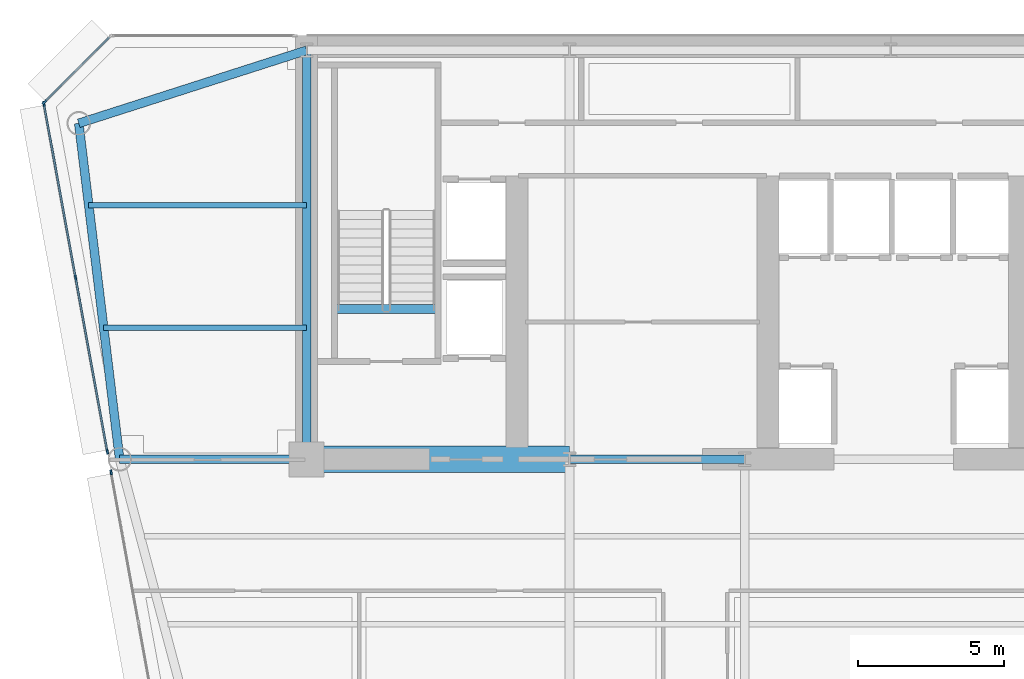
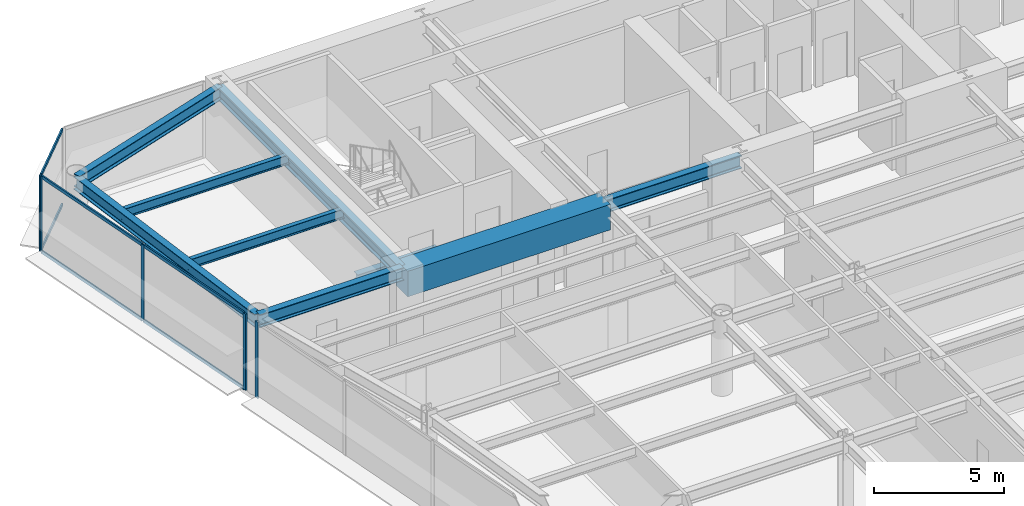
# One storey, part 7 of 17: 11 members, 9 beams, 3 elements without a shape of their own.
"""IFC4 building model written with IfcOpenShell, lengths in metres."""

from ifc_helpers import new_model, si_unit, direction, frame, origin, origin_2d, place, context, subcontext, project, spatial, rectangle, i_section, extrude, source, transform, mapped, material, layer, layer_set, material_profile, profile_set, type_object, element, aggregate, save


model = new_model("IFC4")

# Units and contexts
model_context = context("Model", 3, precision=1e-05, world=origin(), true_north=direction((0.0, 1.0)))
body_context = subcontext(model_context, "Body", "Model", "MODEL_VIEW")
ifc_project = project(units=[si_unit("LENGTHUNIT", "METRE"), si_unit("AREAUNIT", "SQUARE_METRE"), si_unit("VOLUMEUNIT", "CUBIC_METRE"), si_unit("PLANEANGLEUNIT", "RADIAN"), si_unit("MASSUNIT", "GRAM", prefix="KILO")], contexts=[model_context])

# Site, building, storey
site_placement = place(None, origin())
site = spatial("IfcSite", under=ifc_project, at=site_placement, CompositionType="ELEMENT")
building_placement = place(site_placement, origin())
building = spatial("IfcBuilding", under=site, at=building_placement, Name="Vaeldorn Concourse Tower", CompositionType="ELEMENT")
storey_placement = place(building_placement, frame((0.0, 0.0, 161.39990234375)))
storey = spatial("IfcBuildingStorey", under=building, at=storey_placement, Name="L41", CompositionType="ELEMENT", Elevation=161.39990234375)

# Beams
ifc_material_1 = material(Name="Concrete C60/75", Category="concrete")
ifc_material_profile_1 = material_profile(ifc_material_1, rectangle(XDim=0.89990234375, YDim=1.199951171875, at=origin_2d()), Name="RC 900x1200")
ifc_profile_set_1 = profile_set([ifc_material_profile_1], Name="Concrete C60/75")
beam_type_1 = type_object("IfcBeamType", Name="BM-CB-RC900", PredefinedType="BEAM", material=ifc_profile_set_1)
shared_shape_1 = source(origin(), body_context, "Body", "SweptSolid", [
    extrude(rectangle(XDim=0.89990234375, YDim=1.199951171875, at=origin_2d()), origin(), (0.0, 0.0, 1.0), 9.0),
])
beam_1_placement = place(storey_placement, frame((14.0, 36.5, 2.97998046875), z_axis=(1.0, 0.0, 0.0), x_axis=(0.0, 1.0, 0.0)))
element("IfcBeam", 1, at=beam_1_placement, inside=storey, type_object=beam_type_1, Name="Core Coupling Beam L41-1", PredefinedType="BEAM", context=body_context, shape_type="MappedRepresentation", body=[
    mapped(shared_shape_1, transform((0.0, 0.0, 0.0), scale=1.0)),
])
ifc_material_2 = material(Name="Steel S355", Category="steel")
ifc_material_profile_2 = material_profile(ifc_material_2, i_section(OverallWidth=0.300048828125, OverallDepth=0.340087890625, WebThickness=0.011962890625, FlangeThickness=0.021484375, FilletRadius=0.027099609375, at=origin_2d()), Name="HEB 340")
ifc_profile_set_2 = profile_set([ifc_material_profile_2], Name="Steel S355")
beam_type_2 = type_object("IfcBeamType", Name="BM-ST-TRIM", PredefinedType="BEAM", material=ifc_profile_set_2)
shared_shape_2 = source(origin(), body_context, "Body", "SweptSolid", [
    extrude(i_section(OverallWidth=0.300048828125, OverallDepth=0.340087890625, WebThickness=0.011962890625, FlangeThickness=0.021484375, FilletRadius=0.027099609375, at=origin_2d()), origin(), (0.0, 0.0, 1.0), 3.590087890625),
])
beam_2_placement = place(storey_placement, frame((14.929931640625, 41.639892578125, -0.389892578125), z_axis=(1.0, 0.0, 0.0), x_axis=(0.0, 1.0, 0.0)))
element("IfcBeam", 2, at=beam_2_placement, inside=storey, type_object=beam_type_2, Name="Stair Landing Trimmer Beam ST-1 L41", PredefinedType="BEAM", context=body_context, shape_type="MappedRepresentation", body=[
    mapped(shared_shape_2, transform((0.0, 0.0, 0.0), scale=1.0)),
])
ifc_material_profile_3 = material_profile(ifc_material_2, i_section(OverallWidth=0.18994140625, OverallDepth=0.449951171875, WebThickness=0.009521484375, FlangeThickness=0.0146484375, FilletRadius=0.02099609375, at=origin_2d()), Name="IPE 450")
ifc_profile_set_3 = profile_set([ifc_material_profile_3], Name="Steel S355")
beam_type_3 = type_object("IfcBeamType", Name="BM-JS-IPE450", PredefinedType="JOIST", material=ifc_profile_set_3)
shared_shape_3 = source(origin(), body_context, "Body", "SweptSolid", [
    extrude(i_section(OverallWidth=0.18994140625, OverallDepth=0.449951171875, WebThickness=0.009521484375, FlangeThickness=0.0146484375, FilletRadius=0.02099609375, at=origin_2d()), origin(), (0.0, 0.0, 1.0), 6.94775390625),
])
beam_3_placement = place(storey_placement, frame((7.05224609375, 41.0, 3.35498046875), z_axis=(1.0, 0.0, 0.0), x_axis=(0.0, 1.0, 0.0)))
element("IfcBeam", 3, at=beam_3_placement, inside=storey, type_object=beam_type_3, Name="Beam JS-L41-NW-410", PredefinedType="JOIST", context=body_context, shape_type="MappedRepresentation", body=[
    mapped(shared_shape_3, transform((0.0, 0.0, 0.0), scale=1.0)),
])
shared_shape_4 = source(origin(), body_context, "Body", "SweptSolid", [
    extrude(i_section(OverallWidth=0.18994140625, OverallDepth=0.449951171875, WebThickness=0.009521484375, FlangeThickness=0.0146484375, FilletRadius=0.02099609375, at=origin_2d()), origin(), (0.0, 0.0, 1.0), 7.458984375),
])
beam_4_placement = place(storey_placement, frame((6.541015625, 45.199951171875, 3.35498046875), z_axis=(1.0, 0.0, 0.0), x_axis=(0.0, 1.0, 0.0)))
element("IfcBeam", 4, at=beam_4_placement, inside=storey, type_object=beam_type_3, Name="Beam JS-L41-NW-452", PredefinedType="JOIST", context=body_context, shape_type="MappedRepresentation", body=[
    mapped(shared_shape_4, transform((0.0, 0.0, 0.0), scale=1.0)),
])
ifc_material_profile_4 = material_profile(ifc_material_2, i_section(OverallWidth=0.300048828125, OverallDepth=0.60009765625, WebThickness=0.015380859375, FlangeThickness=0.030029296875, FilletRadius=0.027099609375, at=origin_2d()), Name="HEB 600")
ifc_profile_set_4 = profile_set([ifc_material_profile_4], Name="Steel S355")
beam_type_4 = type_object("IfcBeamType", Name="BM-PG-HEB600", PredefinedType="BEAM", material=ifc_profile_set_4)
shared_shape_5 = source(origin(), body_context, "Body", "SweptSolid", [
    extrude(i_section(OverallWidth=0.300048828125, OverallDepth=0.60009765625, WebThickness=0.015380859375, FlangeThickness=0.030029296875, FilletRadius=0.027099609375, at=origin_2d()), origin(), (0.0, 0.0, 1.0), 6.0),
])
beam_5_placement = place(storey_placement, frame((23.0, 36.5, 3.280029296875), z_axis=(1.0, 0.0, 0.0), x_axis=(0.0, 1.0, 0.0)))
element("IfcBeam", 5, at=beam_5_placement, inside=storey, type_object=beam_type_4, Name="Beam BM-L41-C-FC2-C-FC3", PredefinedType="BEAM", context=body_context, shape_type="MappedRepresentation", body=[
    mapped(shared_shape_5, transform((0.0, 0.0, 0.0), scale=1.0)),
])
shared_shape_6 = source(origin(), body_context, "Body", "SweptSolid", [
    extrude(i_section(OverallWidth=0.300048828125, OverallDepth=0.60009765625, WebThickness=0.015380859375, FlangeThickness=0.030029296875, FilletRadius=0.027099609375, at=origin_2d()), origin(), (0.0, 0.0, 1.0), 14.0),
])
beam_6_placement = place(storey_placement, frame((14.0, 36.5, 3.280029296875), z_axis=(0.0, 1.0, 0.0), x_axis=(-1.0, 0.0, 0.0)))
element("IfcBeam", 6, at=beam_6_placement, inside=storey, type_object=beam_type_4, Name="Beam BM-L41-C-FC1-C-HC1", PredefinedType="BEAM", context=body_context, shape_type="MappedRepresentation", body=[
    mapped(shared_shape_6, transform((0.0, 0.0, 0.0), scale=1.0)),
])
shared_shape_7 = source(origin(), body_context, "Body", "SweptSolid", [
    extrude(i_section(OverallWidth=0.300048828125, OverallDepth=0.60009765625, WebThickness=0.015380859375, FlangeThickness=0.030029296875, FilletRadius=0.027099609375, at=origin_2d()), origin(), (0.0, 0.0, 1.0), 8.19091796875),
])
beam_7_placement = place(storey_placement, frame((6.199951171875, 48.0, 3.280029296875), z_axis=(0.952282843383, 0.305216949396, 0.0), x_axis=(-0.305216949396, 0.952282843383, 0.0)))
element("IfcBeam", 7, at=beam_7_placement, inside=storey, type_object=beam_type_4, Name="Beam BM-L41-C-NW1-C-HC1", PredefinedType="BEAM", context=body_context, shape_type="MappedRepresentation", body=[
    mapped(shared_shape_7, transform((0.0, 0.0, 0.0), scale=1.0)),
])
shared_shape_8 = source(origin(), body_context, "Body", "SweptSolid", [
    extrude(i_section(OverallWidth=0.300048828125, OverallDepth=0.60009765625, WebThickness=0.015380859375, FlangeThickness=0.030029296875, FilletRadius=0.027099609375, at=origin_2d()), origin(), (0.0, 0.0, 1.0), 11.5849609375),
])
beam_8_placement = place(storey_placement, frame((6.199951171875, 48.0, 3.280029296875), z_axis=(0.120859382899, -0.992669637677, 0.0), x_axis=(0.992669637677, 0.120859382899, 0.0)))
element("IfcBeam", 8, at=beam_8_placement, inside=storey, type_object=beam_type_4, Name="Beam BM-L41-C-NW1-C-NW2", PredefinedType="BEAM", context=body_context, shape_type="MappedRepresentation", body=[
    mapped(shared_shape_8, transform((0.0, 0.0, 0.0), scale=1.0)),
])
shared_shape_9 = source(origin(), body_context, "Body", "SweptSolid", [
    extrude(i_section(OverallWidth=0.300048828125, OverallDepth=0.60009765625, WebThickness=0.015380859375, FlangeThickness=0.030029296875, FilletRadius=0.027099609375, at=origin_2d()), origin(), (0.0, 0.0, 1.0), 6.39990234375),
])
beam_9_placement = place(storey_placement, frame((7.60009765625, 36.5, 3.280029296875), z_axis=(1.0, 0.0, 0.0), x_axis=(0.0, 1.0, 0.0)))
element("IfcBeam", 9, at=beam_9_placement, inside=storey, type_object=beam_type_4, Name="Beam BM-L41-C-NW2-C-FC1", PredefinedType="BEAM", context=body_context, shape_type="MappedRepresentation", body=[
    mapped(shared_shape_9, transform((0.0, 0.0, 0.0), scale=1.0)),
])

# Curtain wall, members
ifc_material_3 = material(Name="Anodised Bronze Aluminium", Category="aluminium")
ifc_layer = layer(ifc_material_3, 0.18994140625)
ifc_layer_set = layer_set([ifc_layer], Name="Anodised Bronze Aluminium")
curtain_wall_type = type_object("IfcCurtainWallType", Name="CW-SYS-03", PredefinedType="NOTDEFINED", material=ifc_layer_set)
curtain_wall_1_placement = place(storey_placement, origin())
curtain_wall_1 = element("IfcCurtainWall", 10, at=curtain_wall_1_placement, inside=storey, type_object=curtain_wall_type, Name="Unitised Curtain Wall CW-L41-E10-1", PredefinedType="NOTDEFINED")
ifc_material_profile_5 = material_profile(ifc_material_3, rectangle(XDim=0.06494140625, YDim=0.14990234375, at=origin_2d()), Name="CWT 65x150")
ifc_profile_set_5 = profile_set([ifc_material_profile_5], Name="Anodised Bronze Aluminium")
member_type_1 = type_object("IfcMemberType", Name="CWT-BRONZE-150", PredefinedType="USERDEFINED", material=ifc_profile_set_5)
shared_shape_10 = source(origin(), body_context, "Body", "SweptSolid", [
    extrude(rectangle(XDim=0.06494140625, YDim=0.14990234375, at=origin_2d()), origin(), (0.0, 0.0, 1.0), 3.123046875),
])
member_1_placement = place(storey_placement, frame((7.254150390625, 50.9541015625, 0.03271484375), z_axis=(-0.707106781187, -0.707106781187, 0.0), x_axis=(0.707106781187, -0.707106781187, 0.0)))
member_1 = element("IfcMember", 11, at=member_1_placement, type_object=member_type_1, Name="CW-03 transom 1.1", ObjectType="TRANSOM", PredefinedType="USERDEFINED", context=body_context, shape_type="MappedRepresentation", body=[
    mapped(shared_shape_10, transform((0.0, 0.0, 0.0), scale=1.0)),
])
member_2_placement = place(storey_placement, frame((7.254150390625, 50.9541015625, 3.547607421875), z_axis=(-0.707106781187, -0.707106781187, 0.0), x_axis=(0.707106781187, -0.707106781187, 0.0)))
member_2 = element("IfcMember", 12, at=member_2_placement, type_object=member_type_1, Name="CW-03 transom 1.2", ObjectType="TRANSOM", PredefinedType="USERDEFINED", context=body_context, shape_type="MappedRepresentation", body=[
    mapped(shared_shape_10, transform((0.0, 0.0, 0.0), scale=1.0)),
])

curtain_wall_2_placement = place(storey_placement, origin())
curtain_wall_2 = element("IfcCurtainWall", 13, at=curtain_wall_2_placement, inside=storey, type_object=curtain_wall_type, Name="Unitised Curtain Wall CW-L41-E11-1", PredefinedType="NOTDEFINED")
shared_shape_11 = source(origin(), body_context, "Body", "SweptSolid", [
    extrude(rectangle(XDim=0.06494140625, YDim=0.14990234375, at=origin_2d()), origin(), (0.0, 0.0, 1.0), 5.986572265625),
])
member_3_placement = place(storey_placement, frame((6.09765625, 42.682861328125, 0.03271484375), z_axis=(0.179438079261, -0.98376926955, 0.0), x_axis=(0.98376926955, 0.179438079261, 0.0)))
member_3 = element("IfcMember", 14, at=member_3_placement, type_object=member_type_1, Name="CW-03 transom 2.1", ObjectType="TRANSOM", PredefinedType="USERDEFINED", context=body_context, shape_type="MappedRepresentation", body=[
    mapped(shared_shape_11, transform((0.0, 0.0, 0.0), scale=1.0)),
])
member_4_placement = place(storey_placement, frame((6.09765625, 42.682861328125, 3.547607421875), z_axis=(0.179438079261, -0.98376926955, 0.0), x_axis=(0.98376926955, 0.179438079261, 0.0)))
member_4 = element("IfcMember", 15, at=member_4_placement, type_object=member_type_1, Name="CW-03 transom 2.2", ObjectType="TRANSOM", PredefinedType="USERDEFINED", context=body_context, shape_type="MappedRepresentation", body=[
    mapped(shared_shape_11, transform((0.0, 0.0, 0.0), scale=1.0)),
])
shared_shape_12 = source(origin(), body_context, "Body", "SweptSolid", [
    extrude(rectangle(XDim=0.06494140625, YDim=0.14990234375, at=origin_2d()), origin(), (0.0, 0.0, 1.0), 5.986328125),
])
member_5_placement = place(storey_placement, frame((5.01171875, 48.635986328125, 0.03271484375), z_axis=(0.179445278506, -0.983767956391, 0.0), x_axis=(0.983767956391, 0.179445278506, 0.0)))
member_5 = element("IfcMember", 16, at=member_5_placement, type_object=member_type_1, Name="CW-03 transom 1.1", ObjectType="TRANSOM", PredefinedType="USERDEFINED", context=body_context, shape_type="MappedRepresentation", body=[
    mapped(shared_shape_12, transform((0.0, 0.0, 0.0), scale=1.0)),
])
member_6_placement = place(storey_placement, frame((5.01171875, 48.635986328125, 3.547607421875), z_axis=(0.179445278506, -0.983767956391, 0.0), x_axis=(0.983767956391, 0.179445278506, 0.0)))
member_6 = element("IfcMember", 17, at=member_6_placement, type_object=member_type_1, Name="CW-03 transom 1.2", ObjectType="TRANSOM", PredefinedType="USERDEFINED", context=body_context, shape_type="MappedRepresentation", body=[
    mapped(shared_shape_12, transform((0.0, 0.0, 0.0), scale=1.0)),
])

# Member
ifc_material_profile_6 = material_profile(ifc_material_3, rectangle(XDim=0.06494140625, YDim=0.169921875, at=origin_2d()), Name="CWM 65x170")
ifc_profile_set_6 = profile_set([ifc_material_profile_6], Name="Anodised Bronze Aluminium")
member_type_2 = type_object("IfcMemberType", Name="CWM-BRONZE-170", PredefinedType="MULLION", material=ifc_profile_set_6)
shared_shape_13 = source(origin(), body_context, "Body", "SweptSolid", [
    extrude(rectangle(XDim=0.06494140625, YDim=0.169921875, at=origin_2d()), origin(), (0.0, 0.0, 1.0), 3.580078125),
])
member_7_placement = place(storey_placement, frame((5.02294921875, 48.722900390625, 0.0), z_axis=(0.0, 0.0, 1.0), x_axis=(0.707106781187, -0.707106781187, 0.0)))
member_7 = element("IfcMember", 18, at=member_7_placement, type_object=member_type_2, Name="CW-03 mullion 2", PredefinedType="MULLION", context=body_context, shape_type="MappedRepresentation", body=[
    mapped(shared_shape_13, transform((0.0, 0.0, 0.0), scale=1.0)),
])

aggregate(curtain_wall_1, [member_7, member_1, member_2])

member_8_placement = place(storey_placement, frame((5.005859375, 48.66796875, 0.0), z_axis=(0.0, 0.0, 1.0), x_axis=(0.983767579285, 0.179447345892, 0.0)))
member_8 = element("IfcMember", 19, at=member_8_placement, type_object=member_type_2, Name="CW-03 mullion 1", PredefinedType="MULLION", context=body_context, shape_type="MappedRepresentation", body=[
    mapped(shared_shape_13, transform((0.0, 0.0, 0.0), scale=1.0)),
])

member_9_placement = place(storey_placement, frame((6.091796875, 42.71484375, 0.0), z_axis=(0.0, 0.0, 1.0), x_axis=(0.983767579285, 0.179447345892, 0.0)))
member_9 = element("IfcMember", 20, at=member_9_placement, type_object=member_type_2, Name="CW-03 mullion 2", PredefinedType="MULLION", context=body_context, shape_type="MappedRepresentation", body=[
    mapped(shared_shape_13, transform((0.0, 0.0, 0.0), scale=1.0)),
])

member_10_placement = place(storey_placement, frame((7.177734375, 36.761474609375, 0.0), z_axis=(0.0, 0.0, 1.0), x_axis=(0.983767579285, 0.179447345892, 0.0)))
member_10 = element("IfcMember", 21, at=member_10_placement, type_object=member_type_2, Name="CW-03 mullion 3", PredefinedType="MULLION", context=body_context, shape_type="MappedRepresentation", body=[
    mapped(shared_shape_13, transform((0.0, 0.0, 0.0), scale=1.0)),
])

aggregate(curtain_wall_2, [member_8, member_9, member_10, member_5, member_6, member_3, member_4])

# Curtain wall, member
curtain_wall_3_placement = place(storey_placement, origin())
curtain_wall_3 = element("IfcCurtainWall", 22, at=curtain_wall_3_placement, inside=storey, type_object=curtain_wall_type, Name="Unitised Curtain Wall CW-L41-E11-2", PredefinedType="NOTDEFINED")
member_11_placement = place(storey_placement, frame((7.30712890625, 36.051513671875, 0.0), z_axis=(0.0, 0.0, 1.0), x_axis=(0.983767841325, 0.179445909331, 0.0)))
member_11 = element("IfcMember", 23, at=member_11_placement, type_object=member_type_2, Name="CW-03 mullion 1", PredefinedType="MULLION", context=body_context, shape_type="MappedRepresentation", body=[
    mapped(shared_shape_13, transform((0.0, 0.0, 0.0), scale=1.0)),
])
aggregate(curtain_wall_3, [member_11])

save(model, "model.ifc")
